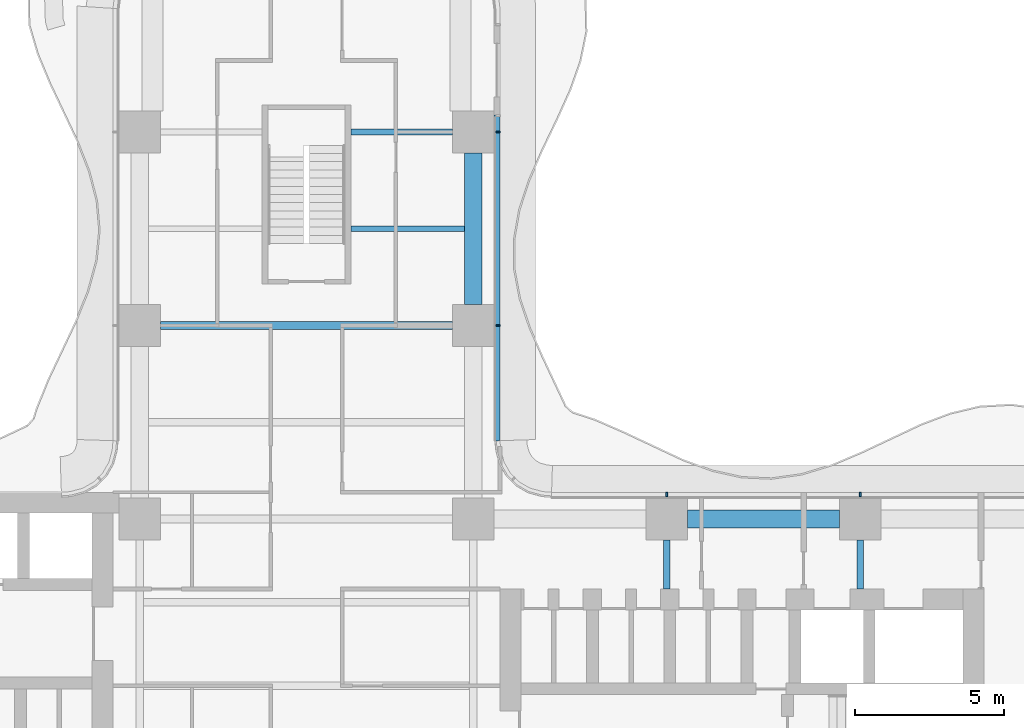
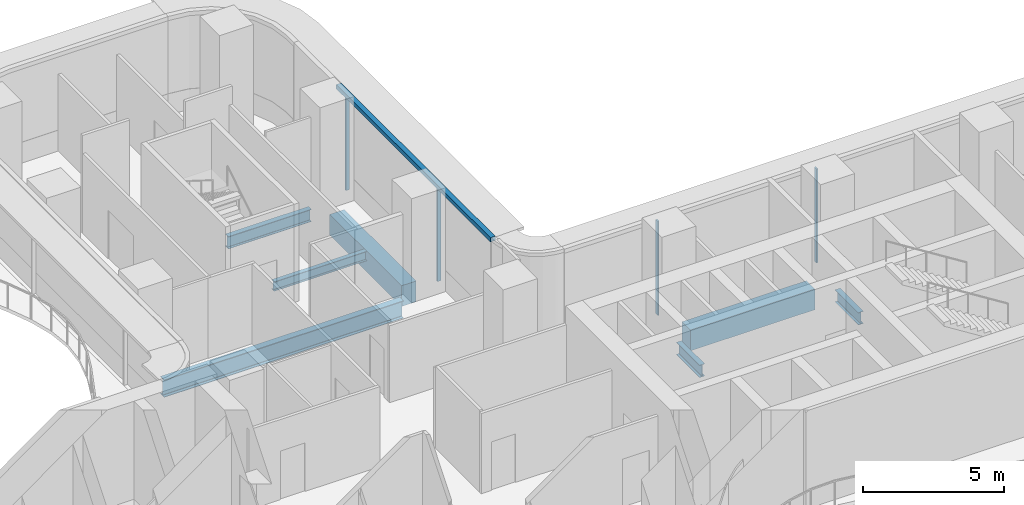
# One storey, part 10 of 23: 7 beams, 5 members, 2 elements without a shape of their own.
"""IFC4 building model written with IfcOpenShell, lengths in metres."""

from ifc_helpers import new_model, si_unit, direction, frame, origin, origin_2d, place, context, subcontext, project, spatial, polyline, rectangle, i_section, outline, extrude, source, transform, mapped, material, layer, layer_set, material_profile, profile_set, type_object, element, aggregate, save


model = new_model("IFC4")

# Units and contexts
model_context = context("Model", 3, precision=1e-05, world=origin(), true_north=direction((0.0, 1.0)))
body_context = subcontext(model_context, "Body", "Model", "MODEL_VIEW")
ifc_project = project(units=[si_unit("LENGTHUNIT", "METRE"), si_unit("AREAUNIT", "SQUARE_METRE"), si_unit("VOLUMEUNIT", "CUBIC_METRE"), si_unit("PLANEANGLEUNIT", "RADIAN"), si_unit("MASSUNIT", "GRAM", prefix="KILO")], contexts=[model_context])

# Site, building, storey
site_placement = place(None, origin())
site = spatial("IfcSite", under=ifc_project, at=site_placement, CompositionType="ELEMENT")
building_placement = place(site_placement, origin())
building = spatial("IfcBuilding", under=site, at=building_placement, Name="Trellis Farm Tower", CompositionType="ELEMENT")
storey_placement = place(building_placement, frame((0.0, 0.0, 83.5)))
storey = spatial("IfcBuildingStorey", under=building, at=storey_placement, Name="L17", CompositionType="ELEMENT", Elevation=83.5)

# Beams
ifc_material_1 = material(Name="Steel S355", Category="steel")
ifc_material_profile_1 = material_profile(ifc_material_1, i_section(OverallWidth=0.209228515625, OverallDepth=0.533203125, WebThickness=0.010009765625, FlangeThickness=0.015625, FilletRadius=0.0126953125, at=origin_2d()), Name="UB 533x210x92")
ifc_profile_set_1 = profile_set([ifc_material_profile_1], Name="Steel S355")
beam_type_1 = type_object("IfcBeamType", Name="UB 533x210x92", PredefinedType="BEAM", material=ifc_profile_set_1)
shared_shape_1 = source(origin(), body_context, "Body", "SweptSolid", [
    extrude(i_section(OverallWidth=0.209228515625, OverallDepth=0.533203125, WebThickness=0.010009765625, FlangeThickness=0.015625, FilletRadius=0.0126953125, at=origin_2d()), origin(), (0.0, 0.0, 1.0), 3.39990234375),
])
beam_1_placement = place(storey_placement, frame((1.5, 18.60009765625, -0.5166015625), z_axis=(1.0, 0.0, 0.0), x_axis=(0.0, 1.0, 0.0)))
element("IfcBeam", 1, at=beam_1_placement, inside=storey, type_object=beam_type_1, Name="Girder", PredefinedType="BEAM", context=body_context, shape_type="MappedRepresentation", body=[
    mapped(shared_shape_1, transform((0.0, 0.0, 0.0))),
])
ifc_material_2 = material(Name="Concrete C60/75", Category="concrete")
ifc_material_profile_2 = material_profile(ifc_material_2, rectangle(XDim=0.60009765625, YDim=0.89990234375, at=origin_2d()), Name="RC spandrel beam 600x900 C60/75")
ifc_profile_set_2 = profile_set([ifc_material_profile_2], Name="Concrete C60/75")
beam_type_2 = type_object("IfcBeamType", Name="RC spandrel beam 600x900 C60/75", PredefinedType="SPANDREL", material=ifc_profile_set_2)
shared_shape_2 = source(origin(), body_context, "Body", "SweptSolid", [
    extrude(rectangle(XDim=0.60009765625, YDim=0.89990234375, at=origin_2d()), origin(), (0.0, 0.0, 1.0), 5.099853515625),
])
for number, where, z_axis, x_axis, name in (
    (2, (12.800048828125, 5.60009765625, -0.699951171875), (1.0, 0.0, 0.0), (0.0, 1.0, 0.0), "Girder"),
    (3, (5.60009765625, 12.800048828125, -0.699951171875), (0.0, 1.0, 0.0), (-1.0, 0.0, 0.0), "Girder"),
):
    element("IfcBeam", number, at=place(storey_placement, frame(where, z_axis=z_axis, x_axis=x_axis)), inside=storey, type_object=beam_type_2, Name=name, PredefinedType="SPANDREL", context=body_context, shape_type="MappedRepresentation", body=[
        mapped(shared_shape_2, transform((0.0, 0.0, 0.0))),
    ])
ifc_material_profile_3 = material_profile(ifc_material_1, i_section(OverallWidth=0.2666015625, OverallDepth=0.76220703125, WebThickness=0.014404296875, FlangeThickness=0.021484375, FilletRadius=0.0166015625, at=origin_2d()), Name="UB 762x267x173")
ifc_profile_set_3 = profile_set([ifc_material_profile_3], Name="Steel S355")
beam_type_3 = type_object("IfcBeamType", Name="UB 762x267x173", PredefinedType="BEAM", material=ifc_profile_set_3)
shared_shape_3 = source(origin(), body_context, "Body", "SweptSolid", [
    extrude(i_section(OverallWidth=0.2666015625, OverallDepth=0.76220703125, WebThickness=0.014404296875, FlangeThickness=0.021484375, FilletRadius=0.0166015625, at=origin_2d()), origin(), (0.0, 0.0, 1.0), 9.7998046875),
])
beam_2_placement = place(storey_placement, frame((-4.89990234375, 12.10009765625, -0.631103515625), z_axis=(1.0, 0.0, 0.0), x_axis=(0.0, 1.0, 0.0)))
element("IfcBeam", 4, at=beam_2_placement, inside=storey, type_object=beam_type_3, Name="Girder", PredefinedType="BEAM", context=body_context, shape_type="MappedRepresentation", body=[
    mapped(shared_shape_3, transform((0.0, 0.0, 0.0))),
])
shared_shape_4 = source(origin(), body_context, "Body", "SweptSolid", [
    extrude(i_section(OverallWidth=0.209228515625, OverallDepth=0.533203125, WebThickness=0.010009765625, FlangeThickness=0.015625, FilletRadius=0.0126953125, at=origin_2d()), origin(), (0.0, 0.0, 1.0), 1.64990234375),
])
for number, where, z_axis, x_axis, name in (
    (5, (12.10009765625, 3.25, -0.5166015625), (0.0, 1.0, 0.0), (-1.0, 0.0, 0.0), "Girder"),
    (6, (18.60009765625, 3.25, -0.5166015625), (0.0, 1.0, 0.0), (-1.0, 0.0, 0.0), "Girder"),
):
    element("IfcBeam", number, at=place(storey_placement, frame(where, z_axis=z_axis, x_axis=x_axis)), inside=storey, type_object=beam_type_1, Name=name, PredefinedType="BEAM", context=body_context, shape_type="MappedRepresentation", body=[
        mapped(shared_shape_4, transform((0.0, 0.0, 0.0))),
    ])
ifc_material_profile_4 = material_profile(ifc_material_1, i_section(OverallWidth=0.177978515625, OverallDepth=0.406494140625, WebThickness=0.0078125, FlangeThickness=0.0126953125, FilletRadius=0.01025390625, at=origin_2d()), Name="UB 406x178x60")
ifc_profile_set_4 = profile_set([ifc_material_profile_4], Name="Steel S355")
beam_type_4 = type_object("IfcBeamType", Name="UB 406x178x60 joist", PredefinedType="JOIST", material=ifc_profile_set_4)
shared_shape_5 = source(origin(), body_context, "Body", "SweptSolid", [
    extrude(i_section(OverallWidth=0.177978515625, OverallDepth=0.406494140625, WebThickness=0.0078125, FlangeThickness=0.0126953125, FilletRadius=0.01025390625, at=origin_2d()), origin(), (0.0, 0.0, 1.0), 3.800048828125),
])
beam_3_placement = place(storey_placement, frame((1.5, 15.35009765625, -0.453125), z_axis=(1.0, 0.0, 0.0), x_axis=(0.0, 1.0, 0.0)))
element("IfcBeam", 7, at=beam_3_placement, inside=storey, type_object=beam_type_4, Name="Floor beam", PredefinedType="JOIST", context=body_context, shape_type="MappedRepresentation", body=[
    mapped(shared_shape_5, transform((0.0, 0.0, 0.0))),
])

# Curtain wall, members
ifc_material_3 = material(Name="Aluminium and glass curtain wall", Category="aluminium")
ifc_layer_1 = layer(ifc_material_3, 0.18994140625)
ifc_layer_set_1 = layer_set([ifc_layer_1], Name="RIBBON CURTAIN WALL CW1")
curtain_wall_type = type_object("IfcCurtainWallType", Name="RIBBON CURTAIN WALL CW1", PredefinedType="NOTDEFINED", material=ifc_layer_set_1)
placement = place(storey_placement, origin())
curtain_wall_1 = element("IfcCurtainWall", 8, at=placement, inside=storey, type_object=curtain_wall_type, Name="CW1 007", PredefinedType="NOTDEFINED")
ifc_material_4 = material(Name="Aluminium extrusion 6063-T6", Category="aluminium")
ifc_material_profile_5 = material_profile(ifc_material_4, rectangle(XDim=0.06005859375, YDim=0.14990234375, at=origin_2d()), Name="MULLION 60x150")
ifc_profile_set_5 = profile_set([ifc_material_profile_5], Name="Aluminium extrusion 6063-T6")
member_type_1 = type_object("IfcMemberType", Name="CW1 MULLION 60x150", PredefinedType="MULLION", material=ifc_profile_set_5)
shared_shape_6 = source(origin(), body_context, "Body", "SweptSolid", [
    extrude(rectangle(XDim=0.06005859375, YDim=0.14990234375, at=origin_2d()), origin(), (0.0, 0.0, 1.0), 4.070068359375),
])
member_1_placement = place(storey_placement, frame((18.60009765625, 6.425048828125, 0.0), z_axis=(0.0, 0.0, 1.0), x_axis=(-1.0, 0.0, 0.0)))
member_1 = element("IfcMember", 9, at=member_1_placement, type_object=member_type_1, Name="MU1 007-02", PredefinedType="MULLION", context=body_context, shape_type="MappedRepresentation", body=[
    mapped(shared_shape_6, transform((0.0, 0.0, 0.0))),
])
member_2_placement = place(storey_placement, frame((12.10009765625, 6.425048828125, 0.0), z_axis=(0.0, 0.0, 1.0), x_axis=(-1.0, 0.0, 0.0)))
member_2 = element("IfcMember", 10, at=member_2_placement, type_object=member_type_1, Name="MU1 007-03", PredefinedType="MULLION", context=body_context, shape_type="MappedRepresentation", body=[
    mapped(shared_shape_6, transform((0.0, 0.0, 0.0))),
])
aggregate(curtain_wall_1, [member_1, member_2])

curtain_wall_2 = element("IfcCurtainWall", 11, at=placement, inside=storey, type_object=curtain_wall_type, Name="CW1 008", PredefinedType="NOTDEFINED")
member_3_placement = place(storey_placement, frame((6.425048828125, 12.10009765625, 0.0), z_axis=(0.0, 0.0, 1.0), x_axis=(0.0, 1.0, 0.0)))
member_3 = element("IfcMember", 12, at=member_3_placement, type_object=member_type_1, Name="MU1 008-01", PredefinedType="MULLION", context=body_context, shape_type="MappedRepresentation", body=[
    mapped(shared_shape_6, transform((0.0, 0.0, 0.0))),
])
member_4_placement = place(storey_placement, frame((6.425048828125, 18.60009765625, 0.0), z_axis=(0.0, 0.0, 1.0), x_axis=(0.0, 1.0, 0.0)))
member_4 = element("IfcMember", 13, at=member_4_placement, type_object=member_type_1, Name="MU1 008-02", PredefinedType="MULLION", context=body_context, shape_type="MappedRepresentation", body=[
    mapped(shared_shape_6, transform((0.0, 0.0, 0.0))),
])
ifc_layer_2 = layer(ifc_material_4, 0.199951171875)
ifc_layer_set_2 = layer_set([ifc_layer_2], Name="Aluminium extrusion 6063-T6")
member_type_2 = type_object("IfcMemberType", Name="CW1 TRANSOM 200x180", PredefinedType="USERDEFINED", material=ifc_layer_set_2)
shared_shape_7 = source(origin(), body_context, "Body", "SweptSolid", [
    extrude(outline(polyline([(6.5, 8.2314453125), (6.5, 19.175048828125), (6.300048828125, 19.175048828125), (6.300048828125, 8.224853515625), (6.5, 8.2314453125)])), origin(), (0.0, 0.0, 1.0), 0.179931640625),
])
member_5_placement = place(storey_placement, frame((0.0, 0.0, 4.070068359375)))
member_5 = element("IfcMember", 14, at=member_5_placement, type_object=member_type_2, Name="TR1 008", ObjectType="TRANSOM", PredefinedType="USERDEFINED", context=body_context, shape_type="MappedRepresentation", body=[
    mapped(shared_shape_7, transform((0.0, 0.0, 0.0))),
])
aggregate(curtain_wall_2, [member_3, member_4, member_5])

save(model, "model.ifc")
